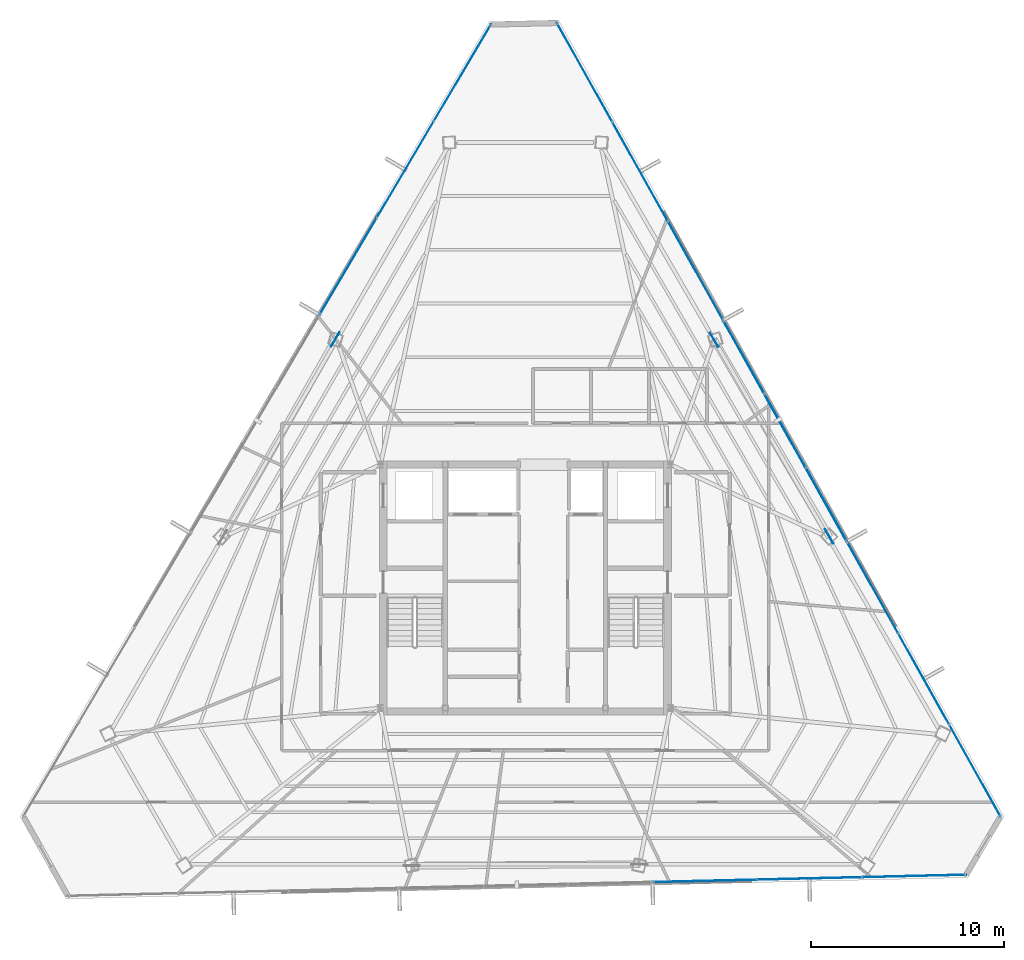
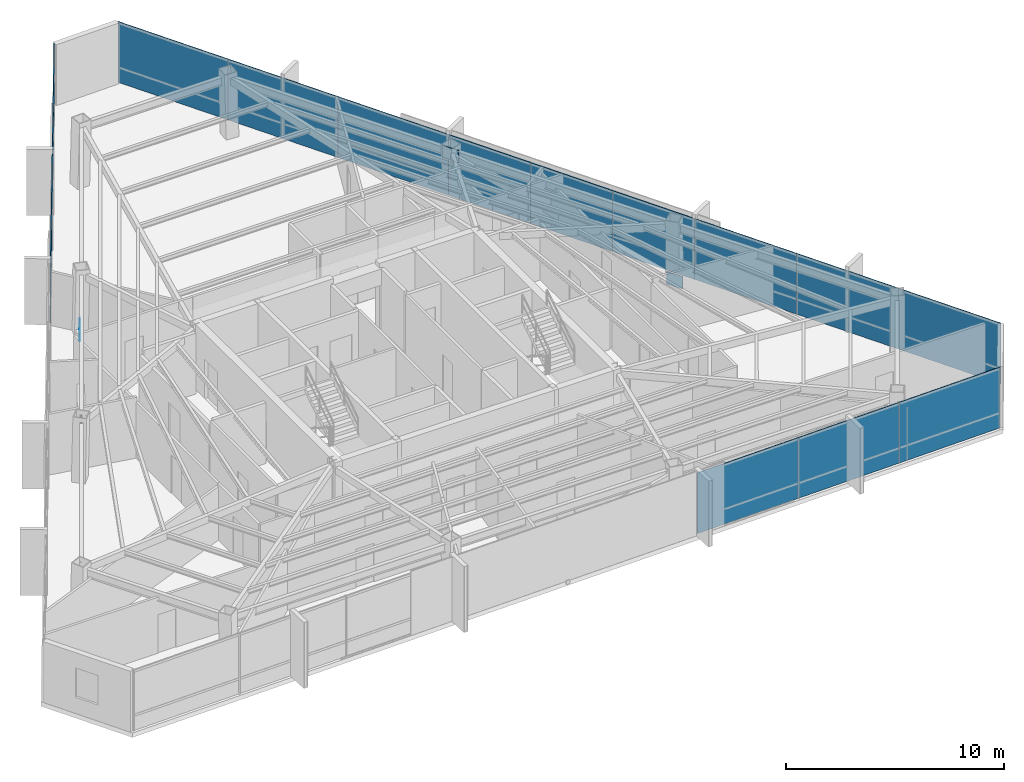
# One storey, part 39 of 46: 18 plates, 5 elements without a shape of their own.
"""IFC4 building model written with IfcOpenShell, lengths in metres."""

from ifc_helpers import new_model, si_unit, direction, frame, origin, origin_2d, place, context, subcontext, project, spatial, rectangle, extrude, source, transform, mapped, material, layer, layer_set, type_object, type_shapes, element, aggregate, save


model = new_model("IFC4")

# Units and contexts
model_context = context("Model", 3, precision=1e-05, world=origin(), true_north=direction((0.0, 1.0)))
body_context = subcontext(model_context, "Body", "Model", "MODEL_VIEW")
ifc_project = project(units=[si_unit("LENGTHUNIT", "METRE"), si_unit("AREAUNIT", "SQUARE_METRE"), si_unit("VOLUMEUNIT", "CUBIC_METRE"), si_unit("PLANEANGLEUNIT", "RADIAN"), si_unit("MASSUNIT", "GRAM", prefix="KILO")], contexts=[model_context])

# Site, building, storey
site_placement = place(None, origin())
site = spatial("IfcSite", under=ifc_project, at=site_placement, CompositionType="ELEMENT")
building_placement = place(site_placement, origin())
building = spatial("IfcBuilding", under=site, at=building_placement, Name="Caelisora Broadcast Tower", CompositionType="ELEMENT")
storey_placement = place(building_placement, frame((0.0, 0.0, 251.75)))
storey = spatial("IfcBuildingStorey", under=building, at=storey_placement, Name="L66", CompositionType="ELEMENT", Elevation=251.75)

# Plates
ifc_material_1 = material(Name="Steel Grade 350 L15 (AS/NZS 3678)", Category="steel")
ifc_layer_1 = layer(ifc_material_1, 0.0400390625, Name="Steel Grade 350 L15 (AS/NZS 3678)")
ifc_layer_set_1 = layer_set([ifc_layer_1], Name="Steel Grade 350 L15 (AS/NZS 3678)")
plate_type_1 = type_object("IfcPlateType", Name="GP04", PredefinedType="USERDEFINED", material=ifc_layer_set_1)
shared_shape_1 = source(origin(), body_context, "Body", "SweptSolid", [
    extrude(rectangle(XDim=0.85009765625, YDim=0.0400390625, at=origin_2d()), origin(), (0.0, 0.0, 1.0), 0.699951171875),
])
type_shapes(plate_type_1, [shared_shape_1])
for number, where, z_axis, x_axis, name in (
    (1, (28.1591796875, 36.4755859375, -0.22998046875), (0.0, 0.0, 1.0), (-0.5, -0.866025403784, 0.0), "L66 gusset plate GP04 (ND-L66-C02B)"),
    (2, (53.724609375, 26.28466796875, -0.22998046875), (0.0, 0.0, 1.0), (-0.5, 0.866025403784, 0.0), "L66 gusset plate GP04 (ND-L66-C10B)"),
    (3, (47.77001953125, 36.45361328125, 2.72998046875), (0.0, 0.0, 1.0), (-0.5, 0.866025403784, 0.0), "L66 gusset plate GP04 (ND-L66-C11T)"),
):
    element("IfcPlate", number, at=place(storey_placement, frame(where, z_axis=z_axis, x_axis=x_axis)), inside=storey, type_object=plate_type_1, Name=name, ObjectType="GUSSET PLATE", PredefinedType="USERDEFINED", context=body_context, shape_type="MappedRepresentation", body=[
        mapped(shared_shape_1, transform((0.0, 0.0, 0.0), scale=1.0)),
    ])

# Curtain wall, plates
ifc_material_2 = material(Name="Unitised Aluminium and Low-E Glass Curtain Wall", Category="glass")
curtain_wall_type_1 = type_object("IfcCurtainWallType", Name="CW-Z5", PredefinedType="NOTDEFINED", material=ifc_material_2)
curtain_wall_1_placement = place(storey_placement, origin())
curtain_wall_1 = element("IfcCurtainWall", 4, at=curtain_wall_1_placement, inside=storey, type_object=curtain_wall_type_1, Name="L66 curtain wall CW-Z5", PredefinedType="NOTDEFINED")
ifc_material_3 = material(Name="Double Glazed Low-E Argon IGU", Category="glass")
ifc_layer_2 = layer(ifc_material_3, 0.028076171875, Name="Double Glazed Low-E Argon IGU")
ifc_layer_set_2 = layer_set([ifc_layer_2], Name="Double Glazed Low-E Argon IGU")
plate_type_2 = type_object("IfcPlateType", Name="CWP-06", PredefinedType="CURTAIN_PANEL", material=ifc_layer_set_2)
shared_shape_2 = source(origin(), body_context, "Body", "SweptSolid", [
    extrude(rectangle(XDim=5.875, YDim=0.028076171875, at=origin_2d()), origin(), (0.0, 0.0, 1.0), 3.39990234375),
])
plate_1_placement = place(storey_placement, frame((41.068359375, 50.295166015625, 0.0), z_axis=(0.0, 0.0, 1.0), x_axis=(0.488012005351, -0.872836916401, 0.0)))
plate_1 = element("IfcPlate", 5, at=plate_1_placement, type_object=plate_type_2, Name="L66-CW-B01 glazed panel #1", PredefinedType="CURTAIN_PANEL", context=body_context, shape_type="MappedRepresentation", body=[
    mapped(shared_shape_2, transform((0.0, 0.0, 0.0), scale=1.0)),
])
plate_2_placement = place(storey_placement, frame((43.935302734375, 45.167236328125, 0.0), z_axis=(0.0, 0.0, 1.0), x_axis=(0.488012005351, -0.872836916401, 0.0)))
plate_2 = element("IfcPlate", 6, at=plate_2_placement, type_object=plate_type_2, Name="L66-CW-B01 glazed panel #2", PredefinedType="CURTAIN_PANEL", context=body_context, shape_type="MappedRepresentation", body=[
    mapped(shared_shape_2, transform((0.0, 0.0, 0.0), scale=1.0)),
])
plate_3_placement = place(storey_placement, frame((46.80224609375, 40.039306640625, 0.0), z_axis=(0.0, 0.0, 1.0), x_axis=(0.488012005351, -0.872836916401, 0.0)))
plate_3 = element("IfcPlate", 7, at=plate_3_placement, type_object=plate_type_2, Name="L66-CW-B01 glazed panel #3", PredefinedType="CURTAIN_PANEL", context=body_context, shape_type="MappedRepresentation", body=[
    mapped(shared_shape_2, transform((0.0, 0.0, 0.0), scale=1.0)),
])
aggregate(curtain_wall_1, [plate_1, plate_2, plate_3])

ifc_material_4 = material(Name="Unitised Aluminium Insulated Shadow-Box Spandrel Curtain Wall", Category="aluminium")
curtain_wall_type_2 = type_object("IfcCurtainWallType", Name="CW-SP3", PredefinedType="NOTDEFINED", material=ifc_material_4)
curtain_wall_2_placement = place(storey_placement, origin())
curtain_wall_2 = element("IfcCurtainWall", 8, at=curtain_wall_2_placement, inside=storey, type_object=curtain_wall_type_2, Name="L66 curtain wall CW-SP3", PredefinedType="NOTDEFINED")
ifc_material_5 = material(Name="Insulated Terracotta Shadow-Box Spandrel Panel", Category="aluminium")
ifc_layer_3 = layer(ifc_material_5, 0.0439453125, Name="Insulated Terracotta Shadow-Box Spandrel Panel")
ifc_layer_set_3 = layer_set([ifc_layer_3], Name="Insulated Terracotta Shadow-Box Spandrel Panel")
plate_type_3 = type_object("IfcPlateType", Name="CWP-10", PredefinedType="CURTAIN_PANEL", material=ifc_layer_set_3)
shared_shape_3 = source(origin(), body_context, "Body", "SweptSolid", [
    extrude(rectangle(XDim=4.368896484375, YDim=0.0439453125, at=origin_2d()), origin(), (0.0, 0.0, 1.0), 3.39990234375),
])
type_shapes(plate_type_3, [shared_shape_3])
plate_4_placement = place(storey_placement, frame((49.306396484375, 35.56005859375, 0.0), z_axis=(0.0, 0.0, 1.0), x_axis=(0.488012005351, -0.872836916401, 0.0)))
plate_4 = element("IfcPlate", 9, at=plate_4_placement, type_object=plate_type_3, Name="L66-CW-B02 spandrel panel #1", PredefinedType="CURTAIN_PANEL", context=body_context, shape_type="MappedRepresentation", body=[
    mapped(shared_shape_3, transform((0.0, 0.0, 0.0), scale=1.0)),
])
plate_5_placement = place(storey_placement, frame((51.4384765625, 31.74658203125, 0.0), z_axis=(0.0, 0.0, 1.0), x_axis=(0.488012005351, -0.872836916401, 0.0)))
plate_5 = element("IfcPlate", 10, at=plate_5_placement, type_object=plate_type_3, Name="L66-CW-B02 spandrel panel #2", PredefinedType="CURTAIN_PANEL", context=body_context, shape_type="MappedRepresentation", body=[
    mapped(shared_shape_3, transform((0.0, 0.0, 0.0), scale=1.0)),
])
plate_6_placement = place(storey_placement, frame((53.5703125, 27.933349609375, 0.0), z_axis=(0.0, 0.0, 1.0), x_axis=(0.488012005351, -0.872836916401, 0.0)))
plate_6 = element("IfcPlate", 11, at=plate_6_placement, type_object=plate_type_3, Name="L66-CW-B02 spandrel panel #3", PredefinedType="CURTAIN_PANEL", context=body_context, shape_type="MappedRepresentation", body=[
    mapped(shared_shape_3, transform((0.0, 0.0, 0.0), scale=1.0)),
])
aggregate(curtain_wall_2, [plate_4, plate_5, plate_6])

curtain_wall_3_placement = place(storey_placement, origin())
curtain_wall_3 = element("IfcCurtainWall", 12, at=curtain_wall_3_placement, inside=storey, type_object=curtain_wall_type_1, Name="L66 curtain wall CW-Z5", PredefinedType="NOTDEFINED")
shared_shape_4 = source(origin(), body_context, "Body", "SweptSolid", [
    extrude(rectangle(XDim=5.43505859375, YDim=0.028076171875, at=origin_2d()), origin(), (0.0, 0.0, 1.0), 3.39990234375),
])
plate_7_placement = place(storey_placement, frame((55.96728515625, 23.64599609375, 0.0), z_axis=(0.0, 0.0, 1.0), x_axis=(0.488012005351, -0.872836916401, 0.0)))
plate_7 = element("IfcPlate", 13, at=plate_7_placement, type_object=plate_type_2, Name="L66-CW-B03 glazed panel #1", PredefinedType="CURTAIN_PANEL", context=body_context, shape_type="MappedRepresentation", body=[
    mapped(shared_shape_4, transform((0.0, 0.0, 0.0), scale=1.0)),
])
plate_8_placement = place(storey_placement, frame((58.61962890625, 18.902099609375, 0.0), z_axis=(0.0, 0.0, 1.0), x_axis=(0.488012005351, -0.872836916401, 0.0)))
plate_8 = element("IfcPlate", 14, at=plate_8_placement, type_object=plate_type_2, Name="L66-CW-B03 glazed panel #2", PredefinedType="CURTAIN_PANEL", context=body_context, shape_type="MappedRepresentation", body=[
    mapped(shared_shape_4, transform((0.0, 0.0, 0.0), scale=1.0)),
])
plate_9_placement = place(storey_placement, frame((61.27197265625, 14.157958984375, 0.0), z_axis=(0.0, 0.0, 1.0), x_axis=(0.488012005351, -0.872836916401, 0.0)))
plate_9 = element("IfcPlate", 15, at=plate_9_placement, type_object=plate_type_2, Name="L66-CW-B03 glazed panel #3", PredefinedType="CURTAIN_PANEL", context=body_context, shape_type="MappedRepresentation", body=[
    mapped(shared_shape_4, transform((0.0, 0.0, 0.0), scale=1.0)),
])
aggregate(curtain_wall_3, [plate_7, plate_8, plate_9])

curtain_wall_4_placement = place(storey_placement, origin())
curtain_wall_4 = element("IfcCurtainWall", 16, at=curtain_wall_4_placement, inside=storey, type_object=curtain_wall_type_1, Name="L66 curtain wall CW-Z5", PredefinedType="NOTDEFINED")
shared_shape_5 = source(origin(), body_context, "Body", "SweptSolid", [
    extrude(rectangle(XDim=5.411865234375, YDim=0.028076171875, at=origin_2d()), origin(), (0.0, 0.0, 1.0), 3.39990234375),
])
plate_10_placement = place(storey_placement, frame((58.10986328125, 8.704345703125, 0.0), z_axis=(0.0, 0.0, 1.0), x_axis=(-0.999722430218, -0.023559764834, 0.0)))
plate_10 = element("IfcPlate", 17, at=plate_10_placement, type_object=plate_type_2, Name="L66-CW-B05 glazed panel #1", PredefinedType="CURTAIN_PANEL", context=body_context, shape_type="MappedRepresentation", body=[
    mapped(shared_shape_5, transform((0.0, 0.0, 0.0), scale=1.0)),
])
plate_11_placement = place(storey_placement, frame((52.699462890625, 8.576904296875, 0.0), z_axis=(0.0, 0.0, 1.0), x_axis=(-0.999722430218, -0.023559764834, 0.0)))
plate_11 = element("IfcPlate", 18, at=plate_11_placement, type_object=plate_type_2, Name="L66-CW-B05 glazed panel #2", PredefinedType="CURTAIN_PANEL", context=body_context, shape_type="MappedRepresentation", body=[
    mapped(shared_shape_5, transform((0.0, 0.0, 0.0), scale=1.0)),
])
plate_12_placement = place(storey_placement, frame((47.289306640625, 8.449462890625, 0.0), z_axis=(0.0, 0.0, 1.0), x_axis=(-0.999722430218, -0.023559764834, 0.0)))
plate_12 = element("IfcPlate", 19, at=plate_12_placement, type_object=plate_type_2, Name="L66-CW-B05 glazed panel #3", PredefinedType="CURTAIN_PANEL", context=body_context, shape_type="MappedRepresentation", body=[
    mapped(shared_shape_5, transform((0.0, 0.0, 0.0), scale=1.0)),
])
aggregate(curtain_wall_4, [plate_10, plate_11, plate_12])

curtain_wall_5_placement = place(storey_placement, origin())
curtain_wall_5 = element("IfcCurtainWall", 20, at=curtain_wall_5_placement, inside=storey, type_object=curtain_wall_type_1, Name="L66 curtain wall CW-Z5", PredefinedType="NOTDEFINED")
shared_shape_6 = source(origin(), body_context, "Body", "SweptSolid", [
    extrude(rectangle(XDim=5.81884765625, YDim=0.028076171875, at=origin_2d()), origin(), (0.0, 0.0, 1.0), 3.39990234375),
])
type_shapes(plate_type_2, [shared_shape_2, shared_shape_4, shared_shape_5, shared_shape_6])
plate_13_placement = place(storey_placement, frame((28.822998046875, 40.252197265625, 0.0), z_axis=(0.0, 0.0, 1.0), x_axis=(0.508440380454, 0.861097195167, 0.0)))
plate_13 = element("IfcPlate", 21, at=plate_13_placement, type_object=plate_type_2, Name="L66-CW-B11 glazed panel #1", PredefinedType="CURTAIN_PANEL", context=body_context, shape_type="MappedRepresentation", body=[
    mapped(shared_shape_6, transform((0.0, 0.0, 0.0), scale=1.0)),
])
plate_14_placement = place(storey_placement, frame((31.781494140625, 45.262939453125, 0.0), z_axis=(0.0, 0.0, 1.0), x_axis=(0.508440380454, 0.861097195167, 0.0)))
plate_14 = element("IfcPlate", 22, at=plate_14_placement, type_object=plate_type_2, Name="L66-CW-B11 glazed panel #2", PredefinedType="CURTAIN_PANEL", context=body_context, shape_type="MappedRepresentation", body=[
    mapped(shared_shape_6, transform((0.0, 0.0, 0.0), scale=1.0)),
])
plate_15_placement = place(storey_placement, frame((34.73974609375, 50.273681640625, 0.0), z_axis=(0.0, 0.0, 1.0), x_axis=(0.508440380454, 0.861097195167, 0.0)))
plate_15 = element("IfcPlate", 23, at=plate_15_placement, type_object=plate_type_2, Name="L66-CW-B11 glazed panel #3", PredefinedType="CURTAIN_PANEL", context=body_context, shape_type="MappedRepresentation", body=[
    mapped(shared_shape_6, transform((0.0, 0.0, 0.0), scale=1.0)),
])
aggregate(curtain_wall_5, [plate_13, plate_14, plate_15])

save(model, "model.ifc")
